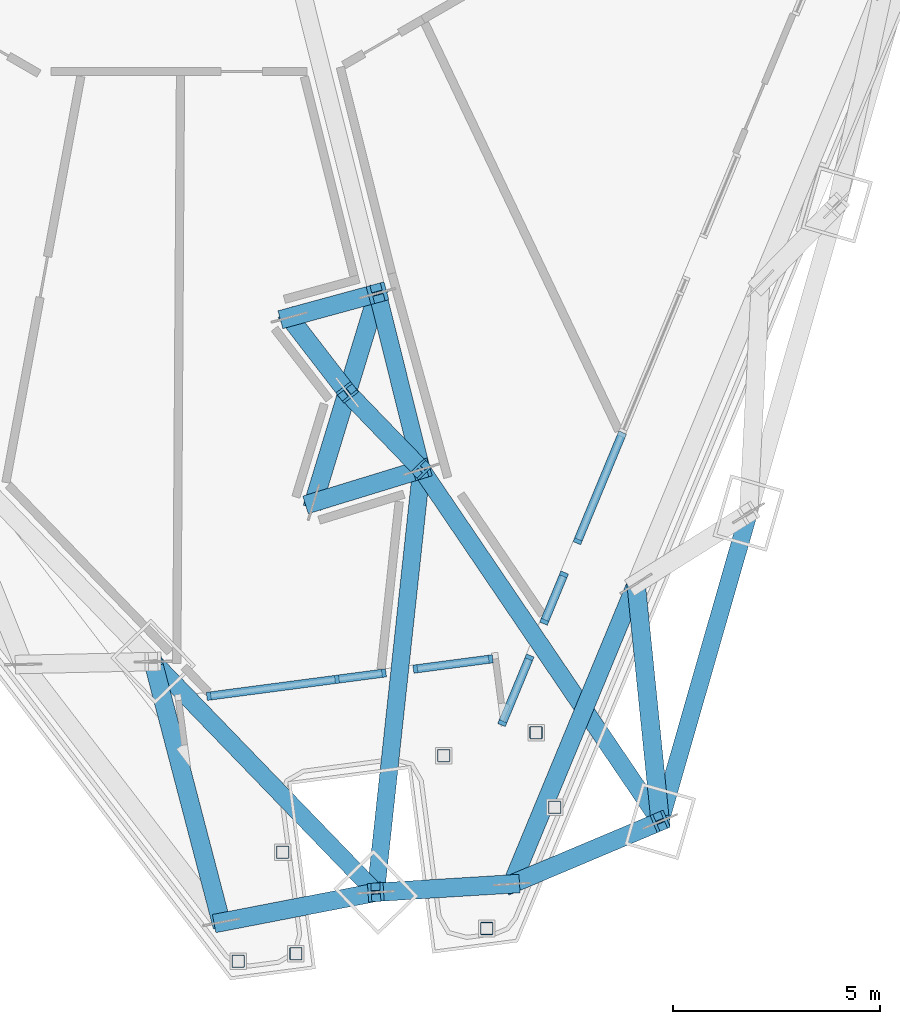
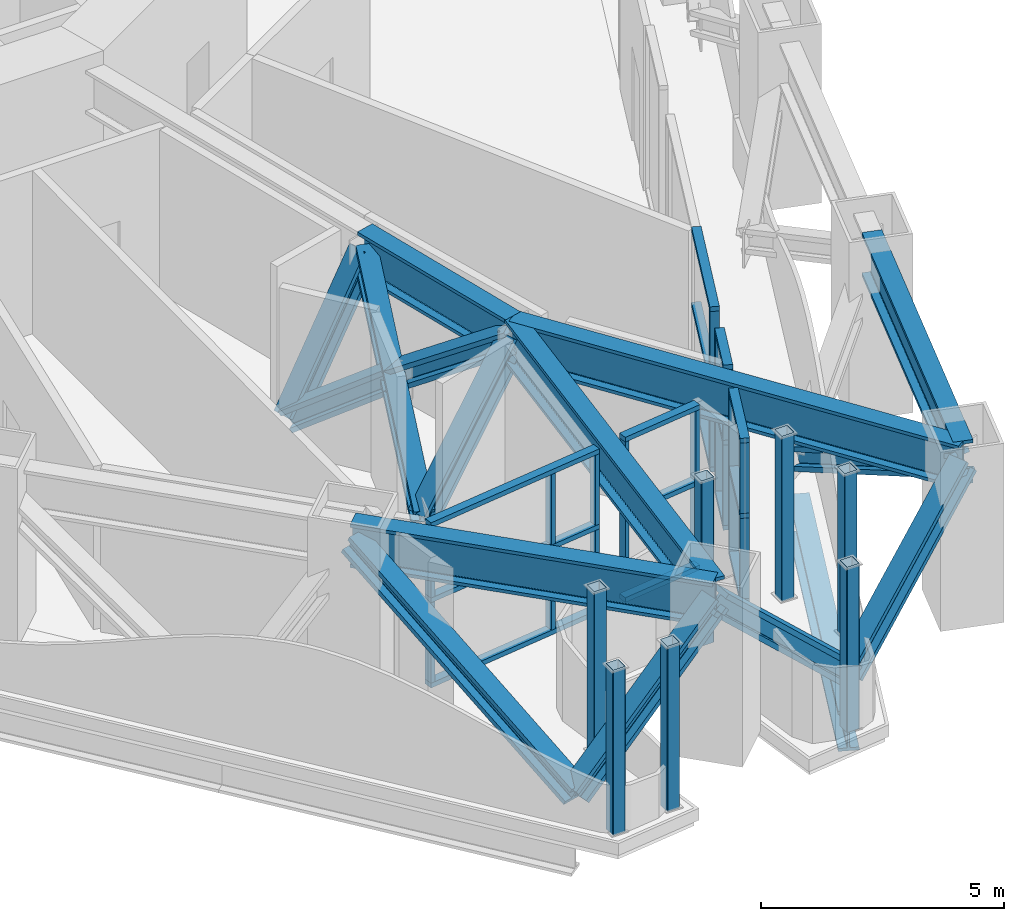
# One storey, part 3 of 31: 55 members, 3 beams, 5 elements without a shape of their own.
"""IFC4 building model written with IfcOpenShell, lengths in metres."""

from ifc_helpers import new_model, si_unit, direction, frame, origin, origin_2d, place, context, subcontext, project, spatial, rectangle, hollow_rectangle, i_section, extrude, material, layer, layer_set, material_profile, profile_set, type_object, element, aggregate, save


model = new_model("IFC4")

# Units and contexts
model_context = context("Model", 3, precision=1e-05, world=origin(), true_north=direction((0.0, 1.0)))
body_context = subcontext(model_context, "Body", "Model", "MODEL_VIEW")
ifc_project = project(units=[si_unit("LENGTHUNIT", "METRE"), si_unit("AREAUNIT", "SQUARE_METRE"), si_unit("VOLUMEUNIT", "CUBIC_METRE"), si_unit("PLANEANGLEUNIT", "RADIAN"), si_unit("MASSUNIT", "GRAM", prefix="KILO")], contexts=[model_context])

# Site, building, storey
site_placement = place(None, origin())
site = spatial("IfcSite", under=ifc_project, at=site_placement, CompositionType="ELEMENT")
building_placement = place(site_placement, origin())
building = spatial("IfcBuilding", under=site, at=building_placement, Name="Trine Commons Tower", CompositionType="ELEMENT")
storey_placement = place(building_placement, frame((0.0, 0.0, 82.800048828125)))
storey = spatial("IfcBuildingStorey", under=building, at=storey_placement, Name="L20", CompositionType="ELEMENT", Elevation=82.800048828125)

# Curtain wall, members
ifc_material_1 = material(Name="Plant louvre wall: anodised aluminium frame with anodised aluminium louvre blades", Category="aluminium")
ifc_layer = layer(ifc_material_1, 0.199951171875)
ifc_layer_set = layer_set([ifc_layer], Name="Plant louvre wall: anodised aluminium frame with anodised aluminium louvre blades")
curtain_wall_type = type_object("IfcCurtainWallType", Name="Plant louvre wall curtain wall CW7", PredefinedType="NOTDEFINED", material=ifc_layer_set)
curtain_wall_1_placement = place(storey_placement, origin())
curtain_wall_1 = element("IfcCurtainWall", 1, at=curtain_wall_1_placement, inside=storey, type_object=curtain_wall_type, Name="Plant louvre wall L20 F2.4", PredefinedType="NOTDEFINED")
ifc_material_2 = material(Name="Anodised aluminium, bronze finish", Category="aluminium")
ifc_material_profile_1 = material_profile(ifc_material_2, rectangle(XDim=0.199951171875, YDim=0.10009765625, at=origin_2d()), Name="Mullion 100x200")
ifc_profile_set_1 = profile_set([ifc_material_profile_1], Name="Anodised aluminium, bronze finish")
member_type_1 = type_object("IfcMemberType", Name="Mullion 100x200, Anodised aluminium, bronze finish", PredefinedType="MULLION", material=ifc_profile_set_1)
member_1_placement = place(storey_placement, frame((89.521240234375, 37.726806640625, 0.119873046875), z_axis=(0.0, 0.0, 1.0), x_axis=(0.923879532511, -0.382683432365, 0.0)))
member_1 = element("IfcMember", 2, at=member_1_placement, type_object=member_type_1, Name="CW7 mullion 2.1", PredefinedType="MULLION", context=body_context, shape_type="SweptSolid", body=[
    extrude(rectangle(XDim=0.199951171875, YDim=0.10009765625, at=origin_2d()), origin(), (0.0, 0.0, 1.0), 2.02001953125),
])
member_2_placement = place(storey_placement, frame((89.521240234375, 37.726806640625, 2.260009765625), z_axis=(0.0, 0.0, 1.0), x_axis=(0.923879532511, -0.382683432365, 0.0)))
member_2 = element("IfcMember", 3, at=member_2_placement, type_object=member_type_1, Name="CW7 mullion 2.2", PredefinedType="MULLION", context=body_context, shape_type="SweptSolid", body=[
    extrude(rectangle(XDim=0.199951171875, YDim=0.10009765625, at=origin_2d()), origin(), (0.0, 0.0, 1.0), 1.77001953125),
])

curtain_wall_2_placement = place(storey_placement, origin())
curtain_wall_2 = element("IfcCurtainWall", 4, at=curtain_wall_2_placement, inside=storey, type_object=curtain_wall_type, Name="Plant louvre wall L20 F2.5", PredefinedType="NOTDEFINED")
member_3_placement = place(storey_placement, frame((89.189208984375, 36.925537109375, 0.119873046875), z_axis=(0.0, 0.0, 1.0), x_axis=(0.923879532511, -0.382683432365, 0.0)))
member_3 = element("IfcMember", 5, at=member_3_placement, type_object=member_type_1, Name="CW7 mullion 1.1", PredefinedType="MULLION", context=body_context, shape_type="SweptSolid", body=[
    extrude(rectangle(XDim=0.199951171875, YDim=0.10009765625, at=origin_2d()), origin(), (0.0, 0.0, 1.0), 2.02001953125),
])
member_4_placement = place(storey_placement, frame((89.189208984375, 36.925537109375, 2.260009765625), z_axis=(0.0, 0.0, 1.0), x_axis=(0.923879532511, -0.382683432365, 0.0)))
member_4 = element("IfcMember", 6, at=member_4_placement, type_object=member_type_1, Name="CW7 mullion 1.2", PredefinedType="MULLION", context=body_context, shape_type="SweptSolid", body=[
    extrude(rectangle(XDim=0.199951171875, YDim=0.10009765625, at=origin_2d()), origin(), (0.0, 0.0, 1.0), 1.77001953125),
])
member_5_placement = place(storey_placement, frame((88.714599609375, 35.779296875, 0.119873046875), z_axis=(0.0, 0.0, 1.0), x_axis=(0.923879532511, -0.382683432365, 0.0)))
member_5 = element("IfcMember", 7, at=member_5_placement, type_object=member_type_1, Name="CW7 mullion 2.1", PredefinedType="MULLION", context=body_context, shape_type="SweptSolid", body=[
    extrude(rectangle(XDim=0.199951171875, YDim=0.10009765625, at=origin_2d()), origin(), (0.0, 0.0, 1.0), 2.02001953125),
])
member_6_placement = place(storey_placement, frame((88.714599609375, 35.779296875, 2.260009765625), z_axis=(0.0, 0.0, 1.0), x_axis=(0.923879532511, -0.382683432365, 0.0)))
member_6 = element("IfcMember", 8, at=member_6_placement, type_object=member_type_1, Name="CW7 mullion 2.2", PredefinedType="MULLION", context=body_context, shape_type="SweptSolid", body=[
    extrude(rectangle(XDim=0.199951171875, YDim=0.10009765625, at=origin_2d()), origin(), (0.0, 0.0, 1.0), 1.77001953125),
])

curtain_wall_3_placement = place(storey_placement, origin())
curtain_wall_3 = element("IfcCurtainWall", 9, at=curtain_wall_3_placement, inside=storey, type_object=curtain_wall_type, Name="Plant louvre wall L20 F2.6", PredefinedType="NOTDEFINED")
member_7_placement = place(storey_placement, frame((88.357666015625, 34.91748046875, 0.119873046875), z_axis=(0.0, 0.0, 1.0), x_axis=(0.923879532511, -0.382683432365, 0.0)))
member_7 = element("IfcMember", 10, at=member_7_placement, type_object=member_type_1, Name="CW7 mullion 1.1", PredefinedType="MULLION", context=body_context, shape_type="SweptSolid", body=[
    extrude(rectangle(XDim=0.199951171875, YDim=0.10009765625, at=origin_2d()), origin(), (0.0, 0.0, 1.0), 2.02001953125),
])
member_8_placement = place(storey_placement, frame((88.357666015625, 34.91748046875, 2.260009765625), z_axis=(0.0, 0.0, 1.0), x_axis=(0.923879532511, -0.382683432365, 0.0)))
member_8 = element("IfcMember", 11, at=member_8_placement, type_object=member_type_1, Name="CW7 mullion 1.2", PredefinedType="MULLION", context=body_context, shape_type="SweptSolid", body=[
    extrude(rectangle(XDim=0.199951171875, YDim=0.10009765625, at=origin_2d()), origin(), (0.0, 0.0, 1.0), 1.77001953125),
])
member_9_placement = place(storey_placement, frame((87.69873046875, 33.326904296875, 0.119873046875), z_axis=(0.0, 0.0, 1.0), x_axis=(0.923879532511, -0.382683432365, 0.0)))
member_9 = element("IfcMember", 12, at=member_9_placement, type_object=member_type_1, Name="CW7 mullion 2.1", PredefinedType="MULLION", context=body_context, shape_type="SweptSolid", body=[
    extrude(rectangle(XDim=0.199951171875, YDim=0.10009765625, at=origin_2d()), origin(), (0.0, 0.0, 1.0), 2.02001953125),
])
member_10_placement = place(storey_placement, frame((87.69873046875, 33.326904296875, 2.260009765625), z_axis=(0.0, 0.0, 1.0), x_axis=(0.923879532511, -0.382683432365, 0.0)))
member_10 = element("IfcMember", 13, at=member_10_placement, type_object=member_type_1, Name="CW7 mullion 2.2", PredefinedType="MULLION", context=body_context, shape_type="SweptSolid", body=[
    extrude(rectangle(XDim=0.199951171875, YDim=0.10009765625, at=origin_2d()), origin(), (0.0, 0.0, 1.0), 1.77001953125),
])

curtain_wall_4_placement = place(storey_placement, origin())
curtain_wall_4 = element("IfcCurtainWall", 14, at=curtain_wall_4_placement, inside=storey, type_object=curtain_wall_type, Name="Plant louvre wall L20 P3.1", PredefinedType="NOTDEFINED")
member_11_placement = place(storey_placement, frame((87.418701171875, 34.87841796875, 0.119873046875), z_axis=(0.0, 0.0, 1.0), x_axis=(0.13052619222, -0.991444861374, 0.0)))
member_11 = element("IfcMember", 15, at=member_11_placement, type_object=member_type_1, Name="CW7 mullion 1.1", PredefinedType="MULLION", context=body_context, shape_type="SweptSolid", body=[
    extrude(rectangle(XDim=0.199951171875, YDim=0.10009765625, at=origin_2d()), origin(), (0.0, 0.0, 1.0), 2.02001953125),
])
member_12_placement = place(storey_placement, frame((87.418701171875, 34.87841796875, 2.260009765625), z_axis=(0.0, 0.0, 1.0), x_axis=(0.13052619222, -0.991444861374, 0.0)))
member_12 = element("IfcMember", 16, at=member_12_placement, type_object=member_type_1, Name="CW7 mullion 1.2", PredefinedType="MULLION", context=body_context, shape_type="SweptSolid", body=[
    extrude(rectangle(XDim=0.199951171875, YDim=0.10009765625, at=origin_2d()), origin(), (0.0, 0.0, 1.0), 1.77001953125),
])
member_13_placement = place(storey_placement, frame((85.59814453125, 34.638916015625, 0.119873046875), z_axis=(0.0, 0.0, 1.0), x_axis=(0.13052619222, -0.991444861374, 0.0)))
member_13 = element("IfcMember", 17, at=member_13_placement, type_object=member_type_1, Name="CW7 mullion 2.1", PredefinedType="MULLION", context=body_context, shape_type="SweptSolid", body=[
    extrude(rectangle(XDim=0.199951171875, YDim=0.10009765625, at=origin_2d()), origin(), (0.0, 0.0, 1.0), 2.02001953125),
])
member_14_placement = place(storey_placement, frame((85.59814453125, 34.638916015625, 2.260009765625), z_axis=(0.0, 0.0, 1.0), x_axis=(0.13052619222, -0.991444861374, 0.0)))
member_14 = element("IfcMember", 18, at=member_14_placement, type_object=member_type_1, Name="CW7 mullion 2.2", PredefinedType="MULLION", context=body_context, shape_type="SweptSolid", body=[
    extrude(rectangle(XDim=0.199951171875, YDim=0.10009765625, at=origin_2d()), origin(), (0.0, 0.0, 1.0), 1.77001953125),
])

curtain_wall_5_placement = place(storey_placement, origin())
curtain_wall_5 = element("IfcCurtainWall", 19, at=curtain_wall_5_placement, inside=storey, type_object=curtain_wall_type, Name="Plant louvre wall L20 P3.2", PredefinedType="NOTDEFINED")
member_15_placement = place(storey_placement, frame((84.836669921875, 34.53857421875, 0.119873046875), z_axis=(0.0, 0.0, 1.0), x_axis=(0.13052619222, -0.991444861374, 0.0)))
member_15 = element("IfcMember", 20, at=member_15_placement, type_object=member_type_1, Name="CW7 mullion 1.1", PredefinedType="MULLION", context=body_context, shape_type="SweptSolid", body=[
    extrude(rectangle(XDim=0.199951171875, YDim=0.10009765625, at=origin_2d()), origin(), (0.0, 0.0, 1.0), 2.02001953125),
])
member_16_placement = place(storey_placement, frame((84.836669921875, 34.53857421875, 2.260009765625), z_axis=(0.0, 0.0, 1.0), x_axis=(0.13052619222, -0.991444861374, 0.0)))
member_16 = element("IfcMember", 21, at=member_16_placement, type_object=member_type_1, Name="CW7 mullion 1.2", PredefinedType="MULLION", context=body_context, shape_type="SweptSolid", body=[
    extrude(rectangle(XDim=0.199951171875, YDim=0.10009765625, at=origin_2d()), origin(), (0.0, 0.0, 1.0), 1.77001953125),
])
member_17_placement = place(storey_placement, frame((83.700927734375, 34.388916015625, 0.119873046875), z_axis=(0.0, 0.0, 1.0), x_axis=(0.13052619222, -0.991444861374, 0.0)))
member_17 = element("IfcMember", 22, at=member_17_placement, type_object=member_type_1, Name="CW7 mullion 2.1", PredefinedType="MULLION", context=body_context, shape_type="SweptSolid", body=[
    extrude(rectangle(XDim=0.199951171875, YDim=0.10009765625, at=origin_2d()), origin(), (0.0, 0.0, 1.0), 2.02001953125),
])
member_18_placement = place(storey_placement, frame((83.700927734375, 34.388916015625, 2.260009765625), z_axis=(0.0, 0.0, 1.0), x_axis=(0.13052619222, -0.991444861374, 0.0)))
member_18 = element("IfcMember", 23, at=member_18_placement, type_object=member_type_1, Name="CW7 mullion 2.2", PredefinedType="MULLION", context=body_context, shape_type="SweptSolid", body=[
    extrude(rectangle(XDim=0.199951171875, YDim=0.10009765625, at=origin_2d()), origin(), (0.0, 0.0, 1.0), 1.77001953125),
])
member_19_placement = place(storey_placement, frame((80.601318359375, 33.98095703125, 0.119873046875), z_axis=(0.0, 0.0, 1.0), x_axis=(0.13052619222, -0.991444861374, 0.0)))
member_19 = element("IfcMember", 24, at=member_19_placement, type_object=member_type_1, Name="CW7 mullion 3.1", PredefinedType="MULLION", context=body_context, shape_type="SweptSolid", body=[
    extrude(rectangle(XDim=0.199951171875, YDim=0.10009765625, at=origin_2d()), origin(), (0.0, 0.0, 1.0), 2.02001953125),
])
member_20_placement = place(storey_placement, frame((80.601318359375, 33.98095703125, 2.260009765625), z_axis=(0.0, 0.0, 1.0), x_axis=(0.13052619222, -0.991444861374, 0.0)))
member_20 = element("IfcMember", 25, at=member_20_placement, type_object=member_type_1, Name="CW7 mullion 3.2", PredefinedType="MULLION", context=body_context, shape_type="SweptSolid", body=[
    extrude(rectangle(XDim=0.199951171875, YDim=0.10009765625, at=origin_2d()), origin(), (0.0, 0.0, 1.0), 1.77001953125),
])

# Beams
ifc_material_3 = material(Name="Structural steel ASTM A992 Gr50", Category="steel")
ifc_material_profile_2 = material_profile(ifc_material_3, i_section(OverallWidth=0.42529296875, OverallDepth=1.09228515625, WebThickness=0.04541015625, FlangeThickness=0.08203125, FilletRadius=0.030029296875, at=origin_2d()), Name="W40X593")
ifc_profile_set_2 = profile_set([ifc_material_profile_2], Name="Structural steel ASTM A992 Gr50")
beam_type = type_object("IfcBeamType", Name="Steel beam W40X593, ASTM A992 Gr50", PredefinedType="BEAM", material=ifc_profile_set_2)
for number, where, z_axis, x_axis, name in (
    (26, (91.51904296875, 30.950927734375, 3.603759765625), (-0.561378980242, 0.827558844157, 0.0), (-0.827558844157, -0.561378980242, 0.0), "Transfer truss girder T2-UV-05"),
    (27, (84.640625, 29.236083984375, 3.603759765625), (0.10713382525, 0.994244609484, 0.0), (-0.994244609484, 0.10713382525, 0.0), "Transfer truss girder T2-UV-06"),
):
    element("IfcBeam", number, at=place(storey_placement, frame(where, z_axis=z_axis, x_axis=x_axis)), inside=storey, type_object=beam_type, Name=name, PredefinedType="BEAM", context=body_context, shape_type="SweptSolid", body=[
        extrude(i_section(OverallWidth=0.42529296875, OverallDepth=1.09228515625, WebThickness=0.04541015625, FlangeThickness=0.08203125, FilletRadius=0.030029296875, at=origin_2d()), origin(), (0.0, 0.0, 1.0), 10.2890625),
    ])
beam_placement = place(storey_placement, frame((84.6806640625, 43.726806640625, 3.603759765625), z_axis=(0.241894592471, -0.970302533302, 0.0), x_axis=(0.970302533302, 0.241894592471, 0.0)))
element("IfcBeam", 28, at=beam_placement, inside=storey, type_object=beam_type, Name="Transfer truss girder T2-UR-02", PredefinedType="BEAM", context=body_context, shape_type="SweptSolid", body=[
    extrude(i_section(OverallWidth=0.42529296875, OverallDepth=1.09228515625, WebThickness=0.04541015625, FlangeThickness=0.08203125, FilletRadius=0.030029296875, at=origin_2d()), origin(), (0.0, 0.0, 1.0), 4.391357421875),
])

# Members
ifc_material_profile_3 = material_profile(ifc_material_3, i_section(OverallWidth=0.44775390625, OverallDepth=0.54931640625, WebThickness=0.072021484375, FlangeThickness=0.11474609375, FilletRadius=0.01513671875, at=origin_2d()), Name="W14X665")
ifc_profile_set_3 = profile_set([ifc_material_profile_3], Name="Structural steel ASTM A992 Gr50")
member_type_2 = type_object("IfcMemberType", Name="Steel brace W14X665, ASTM A992 Gr50", PredefinedType="BRACE", material=ifc_profile_set_3)
member_21_placement = place(storey_placement, frame((87.927734375, 29.4375, 0.504638671875), z_axis=(-0.726884302507, -0.04453947932, 0.685314121808), x_axis=(0.061159803126, -0.998127987024, 0.0)))
element("IfcMember", 29, at=member_21_placement, inside=storey, type_object=member_type_2, Name="Belt truss brace T2-DG-01", PredefinedType="BRACE", context=body_context, shape_type="SweptSolid", body=[
    extrude(i_section(OverallWidth=0.44775390625, OverallDepth=0.54931640625, WebThickness=0.072021484375, FlangeThickness=0.11474609375, FilletRadius=0.01513671875, at=origin_2d()), origin(), (0.0, 0.0, 1.0), 4.522216796875),
])
member_22_placement = place(storey_placement, frame((80.8994140625, 28.51220703125, 0.504638671875), z_axis=(0.761687197623, 0.147376829872, 0.630961712779), x_axis=(-0.189964135029, 0.981791030415, 0.0)))
element("IfcMember", 30, at=member_22_placement, inside=storey, type_object=member_type_2, Name="Belt truss brace T2-DG-02", PredefinedType="BRACE", context=body_context, shape_type="SweptSolid", body=[
    extrude(i_section(OverallWidth=0.44775390625, OverallDepth=0.54931640625, WebThickness=0.072021484375, FlangeThickness=0.11474609375, FilletRadius=0.01513671875, at=origin_2d()), origin(), (0.0, 0.0, 1.0), 4.91162109375),
])
member_23_placement = place(storey_placement, frame((80.8994140625, 28.51220703125, 0.504638671875), z_axis=(-0.228358583523, 0.873710971067, 0.429513092197), x_axis=(-0.967499790021, -0.25287181794, 0.0)))
element("IfcMember", 31, at=member_23_placement, inside=storey, type_object=member_type_2, Name="Belt truss brace T2-DG-04", PredefinedType="BRACE", context=body_context, shape_type="SweptSolid", body=[
    extrude(i_section(OverallWidth=0.44775390625, OverallDepth=0.54931640625, WebThickness=0.072021484375, FlangeThickness=0.11474609375, FilletRadius=0.01513671875, at=origin_2d()), origin(), (0.0, 0.0, 1.0), 7.21533203125),
])
member_24_placement = place(storey_placement, frame((87.927734375, 29.4375, 0.504638671875), z_axis=(0.721261008075, 0.303949489399, 0.622412456595), x_axis=(-0.388339844923, 0.92151623146, 0.0)))
element("IfcMember", 32, at=member_24_placement, inside=storey, type_object=member_type_2, Name="Belt truss brace T2-DG-47", PredefinedType="BRACE", context=body_context, shape_type="SweptSolid", body=[
    extrude(i_section(OverallWidth=0.44775390625, OverallDepth=0.54931640625, WebThickness=0.072021484375, FlangeThickness=0.11474609375, FilletRadius=0.01513671875, at=origin_2d()), origin(), (0.0, 0.0, 1.0), 4.979248046875),
])
member_25_placement = place(storey_placement, frame((90.935791015625, 36.69970703125, 0.504638671875), z_axis=(0.088952124974, -0.876749973532, 0.472648921901), x_axis=(0.994892668369, 0.100938488331, 0.0)))
element("IfcMember", 33, at=member_25_placement, inside=storey, type_object=member_type_2, Name="Belt truss brace T2-DG-48", PredefinedType="BRACE", context=body_context, shape_type="SweptSolid", body=[
    extrude(i_section(OverallWidth=0.44775390625, OverallDepth=0.54931640625, WebThickness=0.072021484375, FlangeThickness=0.11474609375, FilletRadius=0.01513671875, at=origin_2d()), origin(), (0.0, 0.0, 1.0), 6.556884765625),
])
member_26_placement = place(storey_placement, frame((82.548095703125, 43.14453125, 0.504638671875), z_axis=(0.560205192597, 0.1529581436, 0.814109297634), x_axis=(-0.263397740609, 0.964687322526, 0.0)))
element("IfcMember", 34, at=member_26_placement, inside=storey, type_object=member_type_2, Name="Belt truss brace T2-DG-49", PredefinedType="BRACE", context=body_context, shape_type="SweptSolid", body=[
    extrude(i_section(OverallWidth=0.44775390625, OverallDepth=0.54931640625, WebThickness=0.072021484375, FlangeThickness=0.11474609375, FilletRadius=0.01513671875, at=origin_2d()), origin(), (0.0, 0.0, 1.0), 3.806884765625),
])
member_27_placement = place(storey_placement, frame((83.1376953125, 38.6669921875, 0.504638671875), z_axis=(0.251673880655, 0.825307148191, 0.505498139404), x_axis=(-0.956514438612, 0.291684982004, 0.0)))
element("IfcMember", 35, at=member_27_placement, inside=storey, type_object=member_type_2, Name="Belt truss brace T2-DG-50", PredefinedType="BRACE", context=body_context, shape_type="SweptSolid", body=[
    extrude(i_section(OverallWidth=0.44775390625, OverallDepth=0.54931640625, WebThickness=0.072021484375, FlangeThickness=0.11474609375, FilletRadius=0.01513671875, at=origin_2d()), origin(), (0.0, 0.0, 1.0), 6.130859375),
])
member_28_placement = place(storey_placement, frame((83.1376953125, 38.6669921875, 0.504638671875), z_axis=(0.631305342872, 0.193574274377, 0.750987725838), x_axis=(-0.293153923996, 0.956065257629, 0.0)))
element("IfcMember", 36, at=member_28_placement, inside=storey, type_object=member_type_2, Name="Belt truss brace T2-DG-51", PredefinedType="BRACE", context=body_context, shape_type="SweptSolid", body=[
    extrude(i_section(OverallWidth=0.44775390625, OverallDepth=0.54931640625, WebThickness=0.072021484375, FlangeThickness=0.11474609375, FilletRadius=0.01513671875, at=origin_2d()), origin(), (0.0, 0.0, 1.0), 4.126708984375),
])
member_29_placement = place(storey_placement, frame((82.548095703125, 43.14453125, 0.504638671875), z_axis=(0.497800091127, -0.645717336748, 0.579002754999), x_axis=(0.791974823992, 0.610553747154, 0.0)))
element("IfcMember", 37, at=member_29_placement, inside=storey, type_object=member_type_2, Name="Belt truss brace T2-DG-52a", PredefinedType="BRACE", context=body_context, shape_type="SweptSolid", body=[
    extrude(i_section(OverallWidth=0.44775390625, OverallDepth=0.54931640625, WebThickness=0.072021484375, FlangeThickness=0.11474609375, FilletRadius=0.01513671875, at=origin_2d()), origin(), (0.0, 0.0, 1.0), 2.814208984375),
])
member_30_placement = place(storey_placement, frame((83.948974609375, 41.327392578125, 2.134033203125), z_axis=(0.603239895951, -0.625980430951, 0.494216681223), x_axis=(0.720065022885, 0.693906595168, 0.0)))
element("IfcMember", 38, at=member_30_placement, inside=storey, type_object=member_type_2, Name="Belt truss brace T2-DG-52b", PredefinedType="BRACE", context=body_context, shape_type="SweptSolid", body=[
    extrude(i_section(OverallWidth=0.44775390625, OverallDepth=0.54931640625, WebThickness=0.072021484375, FlangeThickness=0.11474609375, FilletRadius=0.01513671875, at=origin_2d()), origin(), (0.0, 0.0, 1.0), 2.973876953125),
])
ifc_material_profile_4 = material_profile(ifc_material_3, i_section(OverallWidth=0.43798828125, OverallDepth=1.009521484375, WebThickness=0.041015625, FlangeThickness=0.073974609375, FilletRadius=0.024169921875, at=origin_2d()), Name="W36X529")
ifc_profile_set_4 = profile_set([ifc_material_profile_4], Name="Structural steel ASTM A992 Gr50")
member_type_3 = type_object("IfcMemberType", Name="Steel chord W36X529, ASTM A992 Gr50", PredefinedType="CHORD", material=ifc_profile_set_4)
member_31_placement = place(storey_placement, frame((90.935791015625, 36.69970703125, -0.954833984375), z_axis=(-0.382678219689, -0.923881691655, 0.0), x_axis=(0.923881691655, -0.382678219689, 0.0)))
element("IfcMember", 39, at=member_31_placement, inside=storey, type_object=member_type_3, Name="Belt truss chord T2-LC-21", PredefinedType="CHORD", context=body_context, shape_type="SweptSolid", body=[
    extrude(i_section(OverallWidth=0.43798828125, OverallDepth=1.009521484375, WebThickness=0.041015625, FlangeThickness=0.073974609375, FilletRadius=0.024169921875, at=origin_2d()), origin(), (0.0, 0.0, 1.0), 7.860595703125),
])
ifc_material_profile_5 = material_profile(ifc_material_3, i_section(OverallWidth=0.42529296875, OverallDepth=1.09228515625, WebThickness=0.04541015625, FlangeThickness=0.08203125, FilletRadius=0.030029296875, at=origin_2d()), Name="W40X593")
ifc_profile_set_5 = profile_set([ifc_material_profile_5], Name="Structural steel ASTM A992 Gr50")
member_type_4 = type_object("IfcMemberType", Name="Steel chord W40X593, ASTM A992 Gr50", PredefinedType="CHORD", material=ifc_profile_set_5)
member_32_placement = place(storey_placement, frame((84.640625, 29.236083984375, 3.603759765625), z_axis=(-0.694662468896, 0.719335842502, 0.0), x_axis=(-0.719335842502, -0.694662468896, 0.0)))
element("IfcMember", 40, at=member_32_placement, inside=storey, type_object=member_type_4, Name="Belt truss chord T2-UC-01", PredefinedType="CHORD", context=body_context, shape_type="SweptSolid", body=[
    extrude(i_section(OverallWidth=0.42529296875, OverallDepth=1.09228515625, WebThickness=0.04541015625, FlangeThickness=0.08203125, FilletRadius=0.030029296875, at=origin_2d()), origin(), (0.0, 0.0, 1.0), 7.757568359375),
])
member_33_placement = place(storey_placement, frame((93.657470703125, 38.408203125, 3.603759765625), z_axis=(-0.275647888077, -0.961258675799, 0.0), x_axis=(0.961258675799, -0.275647888077, 0.0)))
element("IfcMember", 41, at=member_33_placement, inside=storey, type_object=member_type_4, Name="Belt truss chord T2-UC-21", PredefinedType="CHORD", context=body_context, shape_type="SweptSolid", body=[
    extrude(i_section(OverallWidth=0.42529296875, OverallDepth=1.09228515625, WebThickness=0.04541015625, FlangeThickness=0.08203125, FilletRadius=0.030029296875, at=origin_2d()), origin(), (0.0, 0.0, 1.0), 7.7578125),
])
ifc_material_4 = material(Name="Structural steel ASTM A500 Gr C", Category="steel")
ifc_material_profile_6 = material_profile(ifc_material_4, hollow_rectangle(XDim=0.3046875, YDim=0.3046875, WallThickness=0.014892578125, InnerFilletRadius=0.00732421875, OuterFilletRadius=0.022216796875, at=origin_2d()), Name="HSS12X12X5/8")
ifc_profile_set_6 = profile_set([ifc_material_profile_6], Name="Structural steel ASTM A500 Gr C")
member_type_5 = type_object("IfcMemberType", Name="Steel post HSS12X12X5/8, ASTM A500 Gr C", PredefinedType="POST", material=ifc_profile_set_6)
for number, where, z_axis, x_axis, name in (
    (42, (82.70849609375, 27.752685546875, 0.0), (0.0, 0.0, 1.0), (1.0, 0.0, 0.0), "Roof post SP2-31"),
    (43, (81.30859375, 27.568359375, 0.0), (0.0, 0.0, 1.0), (1.0, 0.0, 0.0), "Roof post SP2-32"),
    (44, (82.385986328125, 30.203125, 0.0), (0.0, 0.0, 1.0), (1.0, 0.0, 0.0), "Roof post SP2-34"),
    (45, (87.32666015625, 28.360595703125, 0.0), (0.0, 0.0, 1.0), (1.0, 0.0, 0.0), "Roof post SP2-41"),
    (46, (88.515625, 33.09912109375, 0.0), (0.0, 0.0, 1.0), (1.0, 0.0, 0.0), "Roof post SP2-42"),
    (47, (86.283935546875, 32.54248046875, 0.0), (0.0, 0.0, 1.0), (1.0, 0.0, 0.0), "Roof post SP2-43"),
    (48, (88.96630859375, 31.29150390625, 0.0), (0.0, 0.0, 1.0), (1.0, 0.0, 0.0), "Roof post SP2-44"),
):
    element("IfcMember", number, at=place(storey_placement, frame(where, z_axis=z_axis, x_axis=x_axis)), inside=storey, type_object=member_type_5, Name=name, PredefinedType="POST", context=body_context, shape_type="SweptSolid", body=[
        extrude(hollow_rectangle(XDim=0.3046875, YDim=0.3046875, WallThickness=0.014892578125, InnerFilletRadius=0.00732421875, OuterFilletRadius=0.022216796875, at=origin_2d()), origin(), (0.0, 0.0, 1.0), 4.14990234375),
    ])

# Member
ifc_material_profile_7 = material_profile(ifc_material_2, rectangle(XDim=0.199951171875, YDim=0.1201171875, at=origin_2d()), Name="Transom 120x200")
ifc_profile_set_7 = profile_set([ifc_material_profile_7], Name="Anodised aluminium, bronze finish")
member_type_6 = type_object("IfcMemberType", Name="Transom 120x200, Anodised aluminium, bronze finish", PredefinedType="USERDEFINED", material=ifc_profile_set_7)
member_34_placement = place(storey_placement, frame((90.61083984375, 40.357421875, 0.06005859375), z_axis=(-0.382651964873, -0.923892566145, 0.0), x_axis=(0.923892566145, -0.382651964873, 0.0)))
member_34 = element("IfcMember", 49, at=member_34_placement, type_object=member_type_6, Name="CW7 transom T00", ObjectType="TRANSOM", PredefinedType="USERDEFINED", context=body_context, shape_type="SweptSolid", body=[
    extrude(rectangle(XDim=0.199951171875, YDim=0.1201171875, at=origin_2d()), origin(), (0.0, 0.0, 1.0), 2.897216796875),
])

member_35_placement = place(storey_placement, frame((90.61083984375, 40.357421875, 2.199951171875), z_axis=(-0.382651964873, -0.923892566145, 0.0), x_axis=(0.923892566145, -0.382651964873, 0.0)))
member_35 = element("IfcMember", 50, at=member_35_placement, type_object=member_type_6, Name="CW7 transom T01", ObjectType="TRANSOM", PredefinedType="USERDEFINED", context=body_context, shape_type="SweptSolid", body=[
    extrude(rectangle(XDim=0.199951171875, YDim=0.1201171875, at=origin_2d()), origin(), (0.0, 0.0, 1.0), 2.897216796875),
])

member_36_placement = place(storey_placement, frame((90.61083984375, 40.357421875, 4.08984375), z_axis=(-0.382651964873, -0.923892566145, 0.0), x_axis=(0.923892566145, -0.382651964873, 0.0)))
member_36 = element("IfcMember", 51, at=member_36_placement, type_object=member_type_6, Name="CW7 transom TH00", ObjectType="TRANSOM", PredefinedType="USERDEFINED", context=body_context, shape_type="SweptSolid", body=[
    extrude(rectangle(XDim=0.199951171875, YDim=0.1201171875, at=origin_2d()), origin(), (0.0, 0.0, 1.0), 2.897216796875),
])

aggregate(curtain_wall_1, [member_34, member_35, member_36, member_1, member_2])

member_37_placement = place(storey_placement, frame((89.20849609375, 36.9716796875, 0.06005859375), z_axis=(-0.382791397422, -0.923834804529, 0.0), x_axis=(0.923834804529, -0.382791397422, 0.0)))
member_37 = element("IfcMember", 52, at=member_37_placement, type_object=member_type_6, Name="CW7 transom T00", ObjectType="TRANSOM", PredefinedType="USERDEFINED", context=body_context, shape_type="SweptSolid", body=[
    extrude(rectangle(XDim=0.199951171875, YDim=0.1201171875, at=origin_2d()), origin(), (0.0, 0.0, 1.0), 1.340576171875),
])

member_38_placement = place(storey_placement, frame((89.20849609375, 36.9716796875, 2.199951171875), z_axis=(-0.382791397422, -0.923834804529, 0.0), x_axis=(0.923834804529, -0.382791397422, 0.0)))
member_38 = element("IfcMember", 53, at=member_38_placement, type_object=member_type_6, Name="CW7 transom T01", ObjectType="TRANSOM", PredefinedType="USERDEFINED", context=body_context, shape_type="SweptSolid", body=[
    extrude(rectangle(XDim=0.199951171875, YDim=0.1201171875, at=origin_2d()), origin(), (0.0, 0.0, 1.0), 1.340576171875),
])

member_39_placement = place(storey_placement, frame((89.20849609375, 36.9716796875, 4.08984375), z_axis=(-0.382791397422, -0.923834804529, 0.0), x_axis=(0.923834804529, -0.382791397422, 0.0)))
member_39 = element("IfcMember", 54, at=member_39_placement, type_object=member_type_6, Name="CW7 transom TH00", ObjectType="TRANSOM", PredefinedType="USERDEFINED", context=body_context, shape_type="SweptSolid", body=[
    extrude(rectangle(XDim=0.199951171875, YDim=0.1201171875, at=origin_2d()), origin(), (0.0, 0.0, 1.0), 1.340576171875),
])

aggregate(curtain_wall_2, [member_37, member_38, member_39, member_3, member_4, member_5, member_6])

member_40_placement = place(storey_placement, frame((88.376708984375, 34.9638671875, 0.06005859375), z_axis=(-0.382568766256, -0.923927020433, 0.0), x_axis=(0.923927020433, -0.382568766256, 0.0)))
member_40 = element("IfcMember", 55, at=member_40_placement, type_object=member_type_6, Name="CW7 transom T00", ObjectType="TRANSOM", PredefinedType="USERDEFINED", context=body_context, shape_type="SweptSolid", body=[
    extrude(rectangle(XDim=0.199951171875, YDim=0.1201171875, at=origin_2d()), origin(), (0.0, 0.0, 1.0), 1.822021484375),
])

member_41_placement = place(storey_placement, frame((88.376708984375, 34.9638671875, 2.199951171875), z_axis=(-0.382568766256, -0.923927020433, 0.0), x_axis=(0.923927020433, -0.382568766256, 0.0)))
member_41 = element("IfcMember", 56, at=member_41_placement, type_object=member_type_6, Name="CW7 transom T01", ObjectType="TRANSOM", PredefinedType="USERDEFINED", context=body_context, shape_type="SweptSolid", body=[
    extrude(rectangle(XDim=0.199951171875, YDim=0.1201171875, at=origin_2d()), origin(), (0.0, 0.0, 1.0), 1.822021484375),
])

member_42_placement = place(storey_placement, frame((88.376708984375, 34.9638671875, 4.08984375), z_axis=(-0.382568766256, -0.923927020433, 0.0), x_axis=(0.923927020433, -0.382568766256, 0.0)))
member_42 = element("IfcMember", 57, at=member_42_placement, type_object=member_type_6, Name="CW7 transom TH00", ObjectType="TRANSOM", PredefinedType="USERDEFINED", context=body_context, shape_type="SweptSolid", body=[
    extrude(rectangle(XDim=0.199951171875, YDim=0.1201171875, at=origin_2d()), origin(), (0.0, 0.0, 1.0), 1.822021484375),
])

aggregate(curtain_wall_3, [member_40, member_41, member_42, member_7, member_8, member_9, member_10])

member_43_placement = place(storey_placement, frame((87.468505859375, 34.885009765625, 0.06005859375), z_axis=(-0.991450003838, -0.130487125378, 0.0), x_axis=(0.130487125378, -0.991450003838, 0.0)))
member_43 = element("IfcMember", 58, at=member_43_placement, type_object=member_type_6, Name="CW7 transom T00", ObjectType="TRANSOM", PredefinedType="USERDEFINED", context=body_context, shape_type="SweptSolid", body=[
    extrude(rectangle(XDim=0.199951171875, YDim=0.1201171875, at=origin_2d()), origin(), (0.0, 0.0, 1.0), 1.9365234375),
])

member_44_placement = place(storey_placement, frame((87.468505859375, 34.885009765625, 2.199951171875), z_axis=(-0.991450003838, -0.130487125378, 0.0), x_axis=(0.130487125378, -0.991450003838, 0.0)))
member_44 = element("IfcMember", 59, at=member_44_placement, type_object=member_type_6, Name="CW7 transom T01", ObjectType="TRANSOM", PredefinedType="USERDEFINED", context=body_context, shape_type="SweptSolid", body=[
    extrude(rectangle(XDim=0.199951171875, YDim=0.1201171875, at=origin_2d()), origin(), (0.0, 0.0, 1.0), 1.9365234375),
])

member_45_placement = place(storey_placement, frame((87.468505859375, 34.885009765625, 4.08984375), z_axis=(-0.991450003838, -0.130487125378, 0.0), x_axis=(0.130487125378, -0.991450003838, 0.0)))
member_45 = element("IfcMember", 60, at=member_45_placement, type_object=member_type_6, Name="CW7 transom TH00", ObjectType="TRANSOM", PredefinedType="USERDEFINED", context=body_context, shape_type="SweptSolid", body=[
    extrude(rectangle(XDim=0.199951171875, YDim=0.1201171875, at=origin_2d()), origin(), (0.0, 0.0, 1.0), 1.9365234375),
])

aggregate(curtain_wall_4, [member_43, member_44, member_45, member_11, member_12, member_13, member_14])

member_46_placement = place(storey_placement, frame((84.88623046875, 34.545166015625, 0.06005859375), z_axis=(-0.991446500326, -0.130513742537, 0.0), x_axis=(0.130513742537, -0.991446500326, 0.0)))
member_46 = element("IfcMember", 61, at=member_46_placement, type_object=member_type_6, Name="CW7 transom T00", ObjectType="TRANSOM", PredefinedType="USERDEFINED", context=body_context, shape_type="SweptSolid", body=[
    extrude(rectangle(XDim=0.199951171875, YDim=0.1201171875, at=origin_2d()), origin(), (0.0, 0.0, 1.0), 4.37158203125),
])

member_47_placement = place(storey_placement, frame((84.88623046875, 34.545166015625, 2.199951171875), z_axis=(-0.991446500326, -0.130513742537, 0.0), x_axis=(0.130513742537, -0.991446500326, 0.0)))
member_47 = element("IfcMember", 62, at=member_47_placement, type_object=member_type_6, Name="CW7 transom T01", ObjectType="TRANSOM", PredefinedType="USERDEFINED", context=body_context, shape_type="SweptSolid", body=[
    extrude(rectangle(XDim=0.199951171875, YDim=0.1201171875, at=origin_2d()), origin(), (0.0, 0.0, 1.0), 4.37158203125),
])

member_48_placement = place(storey_placement, frame((84.88623046875, 34.545166015625, 4.08984375), z_axis=(-0.991446500326, -0.130513742537, 0.0), x_axis=(0.130513742537, -0.991446500326, 0.0)))
member_48 = element("IfcMember", 63, at=member_48_placement, type_object=member_type_6, Name="CW7 transom TH00", ObjectType="TRANSOM", PredefinedType="USERDEFINED", context=body_context, shape_type="SweptSolid", body=[
    extrude(rectangle(XDim=0.199951171875, YDim=0.1201171875, at=origin_2d()), origin(), (0.0, 0.0, 1.0), 4.37158203125),
])

aggregate(curtain_wall_5, [member_46, member_47, member_48, member_15, member_16, member_17, member_18, member_19, member_20])

save(model, "model.ifc")
